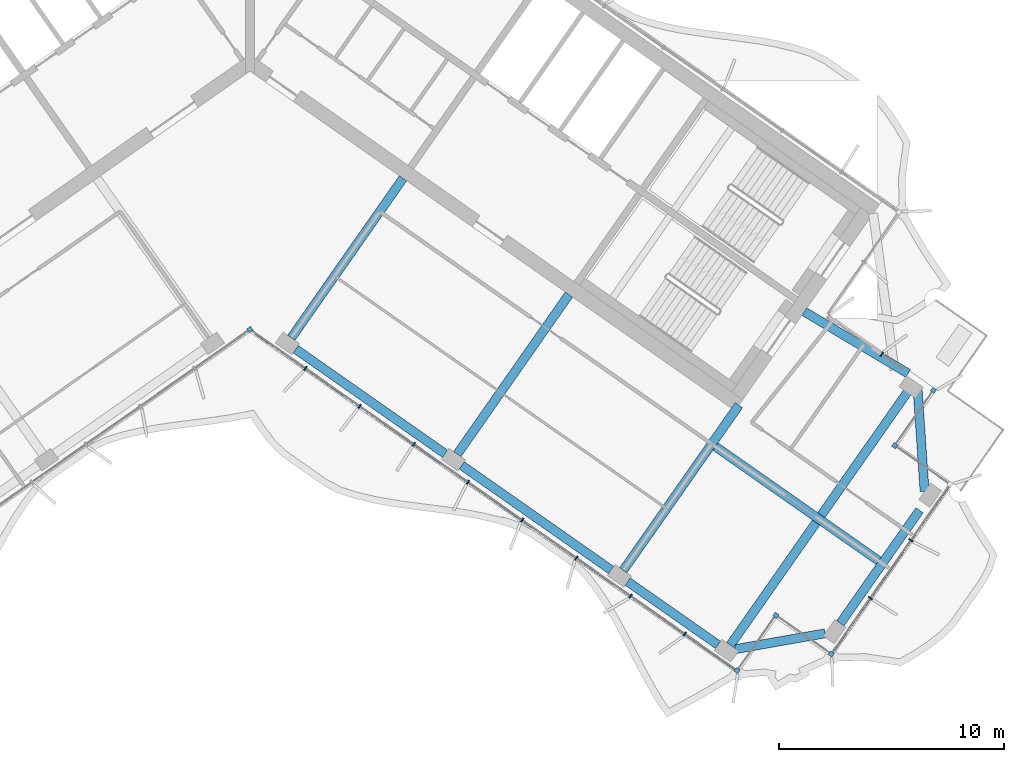
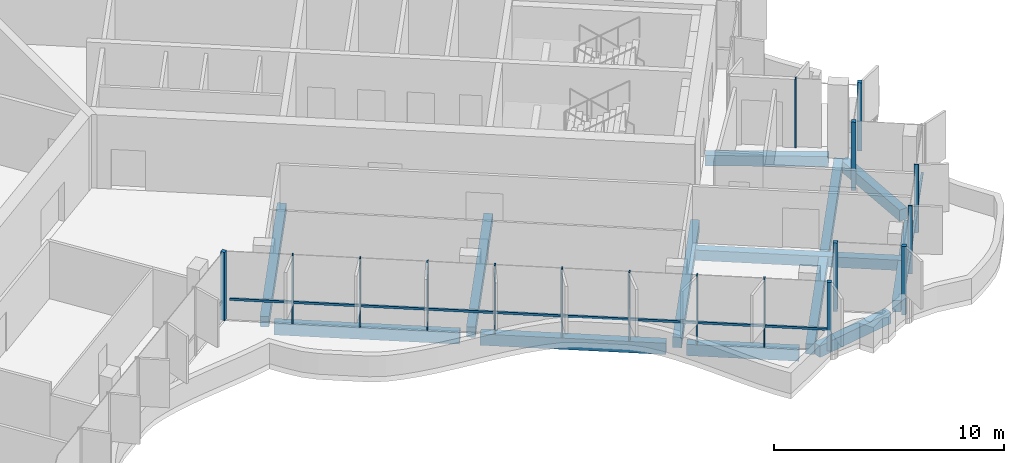
# One storey, part 4 of 20: 19 members, 12 beams, 2 elements without a shape of their own.
"""IFC4 building model written with IfcOpenShell, lengths in metres."""

from ifc_helpers import new_model, si_unit, direction, frame, origin, origin_2d, place, context, subcontext, project, spatial, rectangle, extrude, material, material_profile, profile_set, type_object, element, aggregate, save


model = new_model("IFC4")

# Units and contexts
model_context = context("Model", 3, precision=1e-05, world=origin(), true_north=direction((0.0, 1.0)))
body_context = subcontext(model_context, "Body", "Model", "MODEL_VIEW")
ifc_project = project(units=[si_unit("LENGTHUNIT", "METRE"), si_unit("AREAUNIT", "SQUARE_METRE"), si_unit("VOLUMEUNIT", "CUBIC_METRE"), si_unit("PLANEANGLEUNIT", "RADIAN"), si_unit("MASSUNIT", "GRAM", prefix="KILO")], contexts=[model_context])

# Site, building, storey
site_placement = place(None, origin())
site = spatial("IfcSite", under=ifc_project, at=site_placement, CompositionType="ELEMENT")
building_placement = place(site_placement, origin())
building = spatial("IfcBuilding", under=site, at=building_placement, Name="Tel Ilan Convention Tower", CompositionType="ELEMENT")
storey_placement = place(building_placement, frame((0.0, 0.0, 248.800048828125)))
storey = spatial("IfcBuildingStorey", under=building, at=storey_placement, Name="L58", CompositionType="ELEMENT", Elevation=248.800048828125)

# Beams
ifc_material_1 = material(Name="Concrete C40/50", Category="concrete")
ifc_material_profile_1 = material_profile(ifc_material_1, rectangle(XDim=0.39990234375, YDim=0.550048828125, at=origin_2d()), Name="RC 400x550")
ifc_profile_set_1 = profile_set([ifc_material_profile_1], Name="Concrete C40/50")
beam_type_1 = type_object("IfcBeamType", Name="Beam RC 400x550 Concrete C40/50", PredefinedType="BEAM", material=ifc_profile_set_1)
beam_1_placement = place(storey_placement, frame((29.23486328125, -14.648681640625, -0.554931640625), z_axis=(-0.859318600533, 0.51144065421, 0.0), x_axis=(-0.51144065421, -0.859318600533, 0.0)))
element("IfcBeam", 1, at=beam_1_placement, inside=storey, type_object=beam_type_1, Name="L58 beam E-E-BC-core", PredefinedType="BEAM", context=body_context, shape_type="SweptSolid", body=[
    extrude(rectangle(XDim=0.39990234375, YDim=0.550048828125, at=origin_2d()), origin(), (0.0, 0.0, 1.0), 5.364501953125),
])
for number, where, z_axis, x_axis, name in (
    (2, (1.83740234375, -13.06689453125, -0.554931640625), (0.573574099654, 0.819153680457, 0.0), (-0.819153680457, 0.573574099654, 0.0), "L58 beam E-E-F1-core"),
    (3, (9.209716796875, -18.229248046875, -0.554931640625), (0.573574099654, 0.819153680457, 0.0), (-0.819153680457, 0.573574099654, 0.0), "L58 beam E-E-F2-core"),
):
    element("IfcBeam", number, at=place(storey_placement, frame(where, z_axis=z_axis, x_axis=x_axis)), inside=storey, type_object=beam_type_1, Name=name, PredefinedType="BEAM", context=body_context, shape_type="SweptSolid", body=[
        extrude(rectangle(XDim=0.39990234375, YDim=0.550048828125, at=origin_2d()), origin(), (0.0, 0.0, 1.0), 8.64990234375),
    ])
beam_2_placement = place(storey_placement, frame((16.58203125, -23.391357421875, -0.554931640625), z_axis=(0.573584999642, 0.819146048141, 0.0), x_axis=(-0.819146048141, 0.573584999642, 0.0)))
element("IfcBeam", 4, at=beam_2_placement, inside=storey, type_object=beam_type_1, Name="L58 beam E-E-F3-core", PredefinedType="BEAM", context=body_context, shape_type="SweptSolid", body=[
    extrude(rectangle(XDim=0.39990234375, YDim=0.550048828125, at=origin_2d()), origin(), (0.0, 0.0, 1.0), 8.949951171875),
])
beam_3_placement = place(storey_placement, frame((20.6748046875, -17.89501953125, -0.554931640625), z_axis=(0.819162208319, -0.573561920338, 0.0), x_axis=(0.573561920338, 0.819162208319, 0.0)))
element("IfcBeam", 5, at=beam_3_placement, inside=storey, type_object=beam_type_1, Name="L58 beam E-core-end", PredefinedType="BEAM", context=body_context, shape_type="SweptSolid", body=[
    extrude(rectangle(XDim=0.39990234375, YDim=0.550048828125, at=origin_2d()), origin(), (0.0, 0.0, 1.0), 9.0498046875),
])
beam_4_placement = place(storey_placement, frame((21.333251953125, -26.718017578125, -0.554931640625), z_axis=(0.573580432897, 0.819149245863, 0.0), x_axis=(-0.819149245863, 0.573580432897, 0.0)))
element("IfcBeam", 6, at=beam_4_placement, inside=storey, type_object=beam_type_1, Name="L58 beam E-E-FC-E-BC", PredefinedType="BEAM", context=body_context, shape_type="SweptSolid", body=[
    extrude(rectangle(XDim=0.39990234375, YDim=0.550048828125, at=origin_2d()), origin(), (0.0, 0.0, 1.0), 14.152099609375),
])
ifc_material_2 = material(Name="Concrete C40/50", Category="concrete")
ifc_material_profile_2 = material_profile(ifc_material_2, rectangle(XDim=0.39990234375, YDim=0.60009765625, at=origin_2d()), Name="RC 400x600")
ifc_profile_set_2 = profile_set([ifc_material_profile_2], Name="Concrete C40/50")
beam_type_2 = type_object("IfcBeamType", Name="Beam RC 400x600 Concrete C40/50", PredefinedType="BEAM", material=ifc_profile_set_2)
beam_5_placement = place(storey_placement, frame((2.033935546875, -13.57080078125, -0.580078125), z_axis=(0.81914553362, -0.573585734437, 0.0), x_axis=(0.573585734437, 0.81914553362, 0.0)))
element("IfcBeam", 7, at=beam_5_placement, inside=storey, type_object=beam_type_2, Name="L58 beam E-E-F1-E-F2", PredefinedType="BEAM", context=body_context, shape_type="SweptSolid", body=[
    extrude(rectangle(XDim=0.39990234375, YDim=0.60009765625, at=origin_2d()), origin(), (0.0, 0.0, 1.0), 8.099853515625),
])
beam_6_placement = place(storey_placement, frame((9.40625, -18.73291015625, -0.580078125), z_axis=(0.819155449703, -0.573571572885, 0.0), x_axis=(0.573571572885, 0.819155449703, 0.0)))
element("IfcBeam", 8, at=beam_6_placement, inside=storey, type_object=beam_type_2, Name="L58 beam E-E-F2-E-F3", PredefinedType="BEAM", context=body_context, shape_type="SweptSolid", body=[
    extrude(rectangle(XDim=0.39990234375, YDim=0.60009765625, at=origin_2d()), origin(), (0.0, 0.0, 1.0), 8.10009765625),
])
beam_7_placement = place(storey_placement, frame((16.778564453125, -23.895263671875, -0.580078125), z_axis=(0.819154669329, -0.573572687386, 0.0), x_axis=(0.573572687386, 0.819154669329, 0.0)))
element("IfcBeam", 9, at=beam_7_placement, inside=storey, type_object=beam_type_2, Name="L58 beam E-E-F3-E-FC", PredefinedType="BEAM", context=body_context, shape_type="SweptSolid", body=[
    extrude(rectangle(XDim=0.39990234375, YDim=0.60009765625, at=origin_2d()), origin(), (0.0, 0.0, 1.0), 4.900146484375),
])
beam_8_placement = place(storey_placement, frame((21.578857421875, -26.89013671875, -0.580078125), z_axis=(0.984804894423, 0.173664388751, 0.0), x_axis=(-0.173664388751, 0.984804894423, 0.0)))
element("IfcBeam", 10, at=beam_8_placement, inside=storey, type_object=beam_type_2, Name="L58 beam E-E-FC-E-E1", PredefinedType="BEAM", context=body_context, shape_type="SweptSolid", body=[
    extrude(rectangle(XDim=0.39990234375, YDim=0.60009765625, at=origin_2d()), origin(), (0.0, 0.0, 1.0), 4.030517578125),
])
beam_9_placement = place(storey_placement, frame((26.22412109375, -25.748046875, -0.580078125), z_axis=(0.573566609876, 0.819158924773, 0.0), x_axis=(-0.819158924773, 0.573566609876, 0.0)))
element("IfcBeam", 11, at=beam_9_placement, inside=storey, type_object=beam_type_2, Name="L58 beam E-E-E1-E-E2", PredefinedType="BEAM", context=body_context, shape_type="SweptSolid", body=[
    extrude(rectangle(XDim=0.39990234375, YDim=0.60009765625, at=origin_2d()), origin(), (0.0, 0.0, 1.0), 6.128662109375),
])
beam_10_placement = place(storey_placement, frame((29.96484375, -19.8828125, -0.580078125), z_axis=(-0.068241014439, 0.997668864879, 0.0), x_axis=(-0.997668864879, -0.068241014439, 0.0)))
element("IfcBeam", 12, at=beam_10_placement, inside=storey, type_object=beam_type_2, Name="L58 beam E-E-E2-E-BC", PredefinedType="BEAM", context=body_context, shape_type="SweptSolid", body=[
    extrude(rectangle(XDim=0.39990234375, YDim=0.60009765625, at=origin_2d()), origin(), (0.0, 0.0, 1.0), 4.62939453125),
])

# Curtain wall, members
ifc_material_3 = material(Name="Aluminium, bronze anodised", Category="aluminium")
curtain_wall_type = type_object("IfcCurtainWallType", Name="CW5 STICK CURTAIN WALL, UPPER OFFICE LOW-IRON TINTED GLASS", PredefinedType="NOTDEFINED", material=ifc_material_3)
curtain_wall_1_placement = place(storey_placement, origin())
curtain_wall_1 = element("IfcCurtainWall", 13, at=curtain_wall_1_placement, inside=storey, type_object=curtain_wall_type, Name="Curtain wall CW5-45.03", PredefinedType="NOTDEFINED")
ifc_material_4 = material(Name="Aluminium, bronze anodised", Category="aluminium")
ifc_material_profile_3 = material_profile(ifc_material_4, rectangle(XDim=0.199951171875, YDim=0.199951171875, at=origin_2d()), Name="CW CORNER MULLION 200x200")
ifc_profile_set_3 = profile_set([ifc_material_profile_3], Name="Aluminium, bronze anodised")
member_type_1 = type_object("IfcMemberType", Name="CW CORNER MULLION 200x200", PredefinedType="MULLION", material=ifc_profile_set_3)
member_1_placement = place(storey_placement, frame((0.0, -12.696044921875, 0.0), z_axis=(0.0, 0.0, 1.0), x_axis=(0.819152044289, 0.573576436351, 0.0)))
member_1 = element("IfcMember", 14, at=member_1_placement, type_object=member_type_1, Name="Corner mullion", PredefinedType="MULLION", context=body_context, shape_type="SweptSolid", body=[
    extrude(rectangle(XDim=0.199951171875, YDim=0.199951171875, at=origin_2d()), origin(), (0.0, 0.0, 1.0), 3.619873046875),
])
member_2_placement = place(storey_placement, frame((21.64013671875, -27.8486328125, 0.0), z_axis=(0.0, 0.0, 1.0), x_axis=(0.819152044289, -0.573576436351, 0.0)))
member_2 = element("IfcMember", 15, at=member_2_placement, type_object=member_type_1, Name="Corner mullion", PredefinedType="MULLION", context=body_context, shape_type="SweptSolid", body=[
    extrude(rectangle(XDim=0.199951171875, YDim=0.199951171875, at=origin_2d()), origin(), (0.0, 0.0, 1.0), 3.619873046875),
])
member_3_placement = place(storey_placement, frame((23.36083984375, -25.391357421875, 0.0), z_axis=(0.0, 0.0, 1.0), x_axis=(0.573576436351, 0.819152044289, 0.0)))
member_3 = element("IfcMember", 16, at=member_3_placement, type_object=member_type_1, Name="Corner mullion", PredefinedType="MULLION", context=body_context, shape_type="SweptSolid", body=[
    extrude(rectangle(XDim=0.199951171875, YDim=0.199951171875, at=origin_2d()), origin(), (0.0, 0.0, 1.0), 3.619873046875),
])
member_4_placement = place(storey_placement, frame((25.818359375, -27.112060546875, 0.0), z_axis=(0.0, 0.0, 1.0), x_axis=(0.819152044289, -0.573576436351, 0.0)))
member_4 = element("IfcMember", 17, at=member_4_placement, type_object=member_type_1, Name="Corner mullion", PredefinedType="MULLION", context=body_context, shape_type="SweptSolid", body=[
    extrude(rectangle(XDim=0.199951171875, YDim=0.199951171875, at=origin_2d()), origin(), (0.0, 0.0, 1.0), 3.619873046875),
])
member_5_placement = place(storey_placement, frame((28.637939453125, -17.85498046875, 0.0), z_axis=(0.0, 0.0, 1.0), x_axis=(-0.819152044289, 0.573576436351, 0.0)))
member_5 = element("IfcMember", 18, at=member_5_placement, type_object=member_type_1, Name="Corner mullion", PredefinedType="MULLION", context=body_context, shape_type="SweptSolid", body=[
    extrude(rectangle(XDim=0.199951171875, YDim=0.199951171875, at=origin_2d()), origin(), (0.0, 0.0, 1.0), 3.619873046875),
])
member_6_placement = place(storey_placement, frame((30.358642578125, -15.397705078125, 0.0), z_axis=(0.0, 0.0, 1.0), x_axis=(0.573576436351, 0.819152044289, 0.0)))
member_6 = element("IfcMember", 19, at=member_6_placement, type_object=member_type_1, Name="Corner mullion", PredefinedType="MULLION", context=body_context, shape_type="SweptSolid", body=[
    extrude(rectangle(XDim=0.199951171875, YDim=0.199951171875, at=origin_2d()), origin(), (0.0, 0.0, 1.0), 3.619873046875),
])

# Curtain wall, member
curtain_wall_2_placement = place(storey_placement, origin())
curtain_wall_2 = element("IfcCurtainWall", 20, at=curtain_wall_2_placement, inside=storey, type_object=curtain_wall_type, Name="Curtain wall CW5-45.01", PredefinedType="NOTDEFINED")
ifc_material_5 = material(Name="Aluminium, bronze anodised", Category="aluminium")
ifc_material_profile_4 = material_profile(ifc_material_5, rectangle(XDim=0.06005859375, YDim=0.199951171875, at=origin_2d()), Name="CW MULLION 60x200")
ifc_profile_set_4 = profile_set([ifc_material_profile_4], Name="Aluminium, bronze anodised")
member_type_2 = type_object("IfcMemberType", Name="CW MULLION 60x200", PredefinedType="MULLION", material=ifc_profile_set_4)
member_7_placement = place(storey_placement, frame((28.06494140625, -13.79150390625, 0.0), z_axis=(0.0, 0.0, 1.0), x_axis=(-0.819152044289, 0.573576436351, 0.0)))
member_7 = element("IfcMember", 21, at=member_7_placement, type_object=member_type_2, Name="Mullion", PredefinedType="MULLION", context=body_context, shape_type="SweptSolid", body=[
    extrude(rectangle(XDim=0.06005859375, YDim=0.199951171875, at=origin_2d()), origin(), (0.0, 0.0, 1.0), 3.619873046875),
])
aggregate(curtain_wall_2, [member_7])

# Member
member_8_placement = place(storey_placement, frame((2.464599609375, -14.421875, 0.0), z_axis=(0.0, 0.0, 1.0), x_axis=(0.819152044289, -0.573576436351, 0.0)))
member_8 = element("IfcMember", 22, at=member_8_placement, type_object=member_type_2, Name="Mullion", PredefinedType="MULLION", context=body_context, shape_type="SweptSolid", body=[
    extrude(rectangle(XDim=0.06005859375, YDim=0.199951171875, at=origin_2d()), origin(), (0.0, 0.0, 1.0), 3.619873046875),
])

member_9_placement = place(storey_placement, frame((4.871826171875, -16.107177734375, 0.0), z_axis=(0.0, 0.0, 1.0), x_axis=(0.819152044289, -0.573576436351, 0.0)))
member_9 = element("IfcMember", 23, at=member_9_placement, type_object=member_type_2, Name="Mullion", PredefinedType="MULLION", context=body_context, shape_type="SweptSolid", body=[
    extrude(rectangle(XDim=0.06005859375, YDim=0.199951171875, at=origin_2d()), origin(), (0.0, 0.0, 1.0), 3.619873046875),
])

member_10_placement = place(storey_placement, frame((7.279052734375, -17.792724609375, 0.0), z_axis=(0.0, 0.0, 1.0), x_axis=(0.819152044289, -0.573576436351, 0.0)))
member_10 = element("IfcMember", 24, at=member_10_placement, type_object=member_type_2, Name="Mullion", PredefinedType="MULLION", context=body_context, shape_type="SweptSolid", body=[
    extrude(rectangle(XDim=0.06005859375, YDim=0.199951171875, at=origin_2d()), origin(), (0.0, 0.0, 1.0), 3.619873046875),
])

member_11_placement = place(storey_placement, frame((9.68603515625, -19.478271484375, 0.0), z_axis=(0.0, 0.0, 1.0), x_axis=(0.819152044289, -0.573576436351, 0.0)))
member_11 = element("IfcMember", 25, at=member_11_placement, type_object=member_type_2, Name="Mullion", PredefinedType="MULLION", context=body_context, shape_type="SweptSolid", body=[
    extrude(rectangle(XDim=0.06005859375, YDim=0.199951171875, at=origin_2d()), origin(), (0.0, 0.0, 1.0), 3.619873046875),
])

member_12_placement = place(storey_placement, frame((12.09326171875, -21.163818359375, 0.0), z_axis=(0.0, 0.0, 1.0), x_axis=(0.819152044289, -0.573576436351, 0.0)))
member_12 = element("IfcMember", 26, at=member_12_placement, type_object=member_type_2, Name="Mullion", PredefinedType="MULLION", context=body_context, shape_type="SweptSolid", body=[
    extrude(rectangle(XDim=0.06005859375, YDim=0.199951171875, at=origin_2d()), origin(), (0.0, 0.0, 1.0), 3.619873046875),
])

member_13_placement = place(storey_placement, frame((14.50048828125, -22.849365234375, 0.0), z_axis=(0.0, 0.0, 1.0), x_axis=(0.819152044289, -0.573576436351, 0.0)))
member_13 = element("IfcMember", 27, at=member_13_placement, type_object=member_type_2, Name="Mullion", PredefinedType="MULLION", context=body_context, shape_type="SweptSolid", body=[
    extrude(rectangle(XDim=0.06005859375, YDim=0.199951171875, at=origin_2d()), origin(), (0.0, 0.0, 1.0), 3.619873046875),
])

member_14_placement = place(storey_placement, frame((16.90771484375, -24.534912109375, 0.0), z_axis=(0.0, 0.0, 1.0), x_axis=(0.819152044289, -0.573576436351, 0.0)))
member_14 = element("IfcMember", 28, at=member_14_placement, type_object=member_type_2, Name="Mullion", PredefinedType="MULLION", context=body_context, shape_type="SweptSolid", body=[
    extrude(rectangle(XDim=0.06005859375, YDim=0.199951171875, at=origin_2d()), origin(), (0.0, 0.0, 1.0), 3.619873046875),
])

member_15_placement = place(storey_placement, frame((19.31494140625, -26.220458984375, 0.0), z_axis=(0.0, 0.0, 1.0), x_axis=(0.819152044289, -0.573576436351, 0.0)))
member_15 = element("IfcMember", 29, at=member_15_placement, type_object=member_type_2, Name="Mullion", PredefinedType="MULLION", context=body_context, shape_type="SweptSolid", body=[
    extrude(rectangle(XDim=0.06005859375, YDim=0.199951171875, at=origin_2d()), origin(), (0.0, 0.0, 1.0), 3.619873046875),
])

member_16_placement = place(storey_placement, frame((27.558349609375, -24.627197265625, 0.0), z_axis=(0.0, 0.0, 1.0), x_axis=(0.573576436351, 0.819152044289, 0.0)))
member_16 = element("IfcMember", 30, at=member_16_placement, type_object=member_type_2, Name="Mullion", PredefinedType="MULLION", context=body_context, shape_type="SweptSolid", body=[
    extrude(rectangle(XDim=0.06005859375, YDim=0.199951171875, at=origin_2d()), origin(), (0.0, 0.0, 1.0), 3.619873046875),
])

member_17_placement = place(storey_placement, frame((29.35546875, -22.060546875, 0.0), z_axis=(0.0, 0.0, 1.0), x_axis=(0.573576436351, 0.819152044289, 0.0)))
member_17 = element("IfcMember", 31, at=member_17_placement, type_object=member_type_2, Name="Mullion", PredefinedType="MULLION", context=body_context, shape_type="SweptSolid", body=[
    extrude(rectangle(XDim=0.06005859375, YDim=0.199951171875, at=origin_2d()), origin(), (0.0, 0.0, 1.0), 3.619873046875),
])

ifc_material_6 = material(Name="Aluminium, bronze anodised", Category="aluminium")
ifc_material_profile_5 = material_profile(ifc_material_6, rectangle(XDim=0.10009765625, YDim=0.1201171875, at=origin_2d()), Name="CW TRANSOM 100x120")
ifc_profile_set_5 = profile_set([ifc_material_profile_5], Name="Aluminium, bronze anodised")
member_type_3 = type_object("IfcMemberType", Name="CW TRANSOM 100x120", PredefinedType="USERDEFINED", material=ifc_profile_set_5)
member_18_placement = place(storey_placement, frame((0.22119140625, -12.850830078125, 1.099853515625), z_axis=(0.819152212587, -0.573576195996, 0.0), x_axis=(0.573576195996, 0.819152212587, 0.0)))
member_18 = element("IfcMember", 32, at=member_18_placement, type_object=member_type_3, Name="Transom", ObjectType="TRANSOM", PredefinedType="USERDEFINED", context=body_context, shape_type="SweptSolid", body=[
    extrude(rectangle(XDim=0.10009765625, YDim=0.1201171875, at=origin_2d()), origin(), (0.0, 0.0, 1.0), 26.0478515625),
])

member_19_placement = place(storey_placement, frame((25.875732421875, -27.030029296875, 1.099853515625), z_axis=(0.573573395961, 0.819154173185, 0.0), x_axis=(-0.819154173185, 0.573573395961, 0.0)))
member_19 = element("IfcMember", 33, at=member_19_placement, type_object=member_type_3, Name="Transom", ObjectType="TRANSOM", PredefinedType="USERDEFINED", context=body_context, shape_type="SweptSolid", body=[
    extrude(rectangle(XDim=0.10009765625, YDim=0.1201171875, at=origin_2d()), origin(), (0.0, 0.0, 1.0), 9.0),
])

aggregate(curtain_wall_1, [member_1, member_8, member_9, member_10, member_11, member_12, member_13, member_14, member_15, member_2, member_18, member_3, member_4, member_16, member_17, member_19, member_5, member_6])

save(model, "model.ifc")
